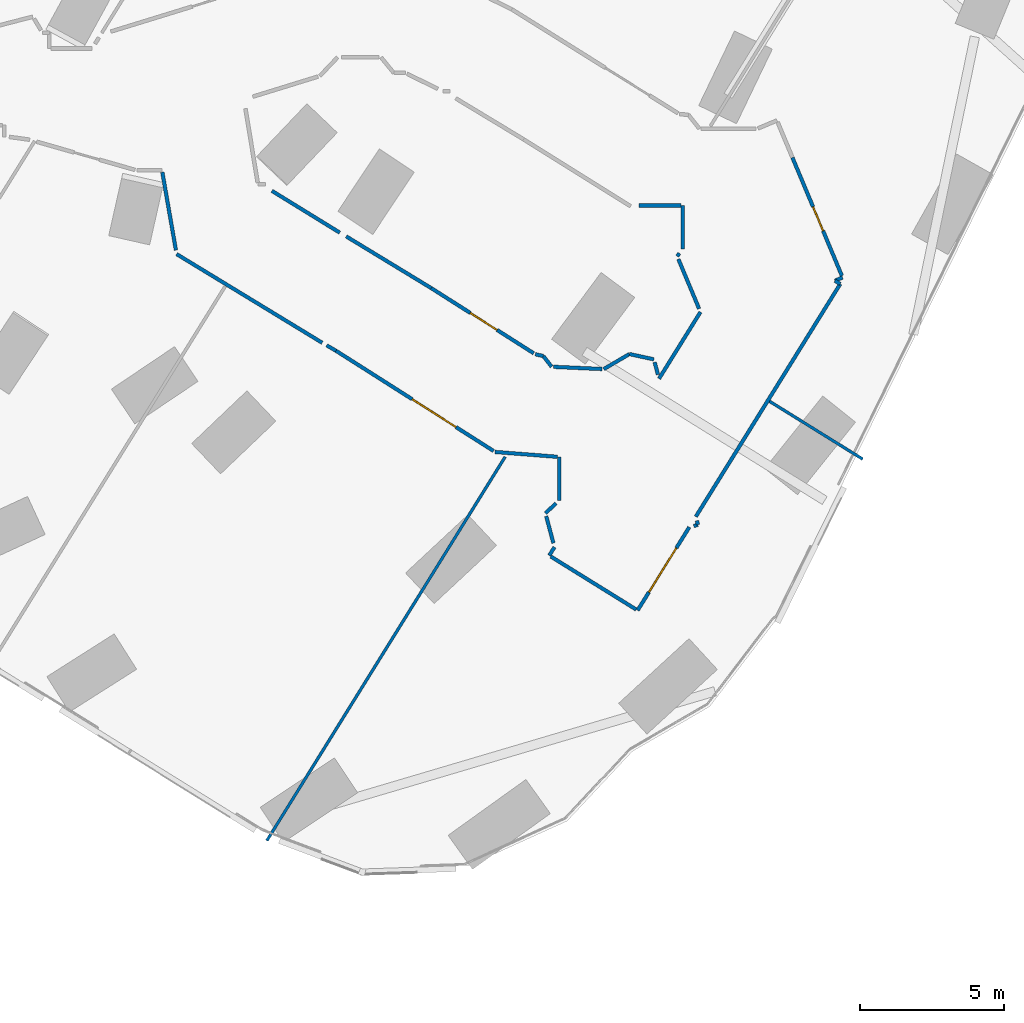
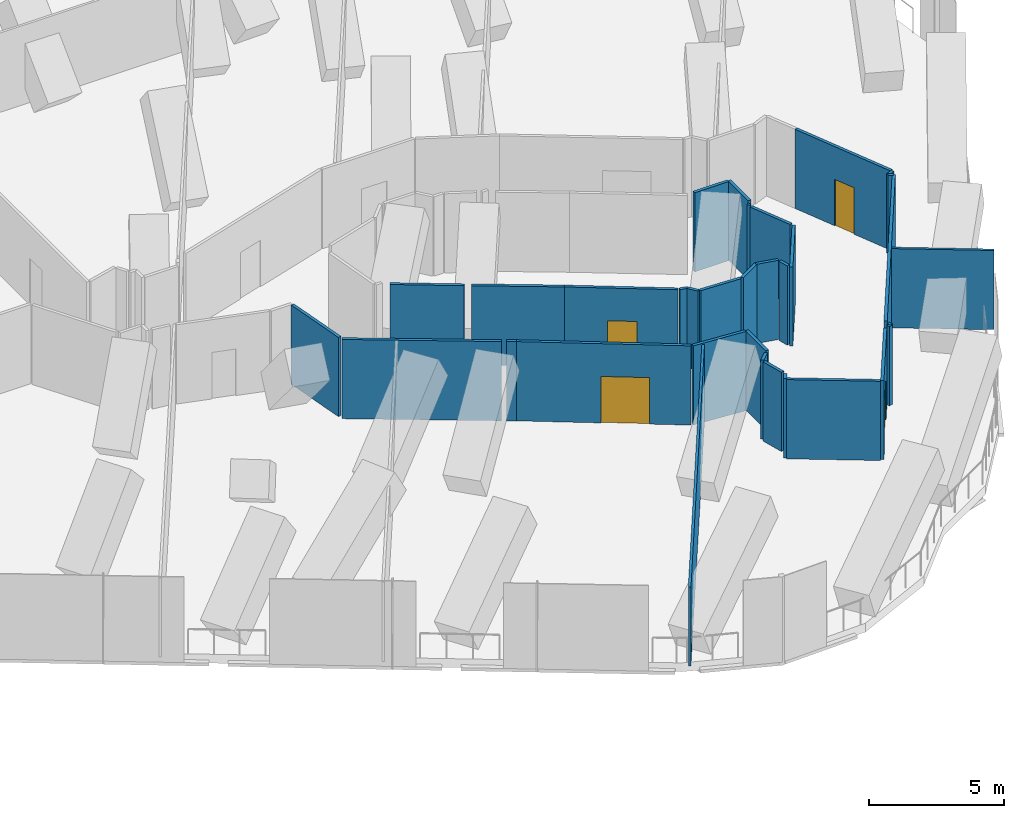
# One storey, part 25 of 31: 33 walls, 4 doors, 4 openings.
"""IFC4 building model written with IfcOpenShell, lengths in metres."""

from ifc_helpers import new_model, si_unit, direction, frame, frame_2d, origin, place, context, subcontext, project, spatial, rectangle, extrude, material, layer, layer_set, type_object, element, fill, save


model = new_model("IFC4")

# Units and contexts
model_context = context("Model", 3, precision=1e-05, world=origin(), true_north=direction((0.0, 1.0)))
body_context = subcontext(model_context, "Body", "Model", "MODEL_VIEW")
ifc_project = project(units=[si_unit("LENGTHUNIT", "METRE"), si_unit("AREAUNIT", "SQUARE_METRE"), si_unit("VOLUMEUNIT", "CUBIC_METRE"), si_unit("PLANEANGLEUNIT", "RADIAN"), si_unit("MASSUNIT", "GRAM", prefix="KILO")], contexts=[model_context])

# Site, building, storey
site_placement = place(None, origin())
site = spatial("IfcSite", under=ifc_project, at=site_placement, CompositionType="ELEMENT")
building_placement = place(site_placement, origin())
building = spatial("IfcBuilding", under=site, at=building_placement, Name="Orlundy Tower", CompositionType="ELEMENT")
storey_placement = place(building_placement, frame((0.0, 0.0, 54.800048828125)))
storey = spatial("IfcBuildingStorey", under=building, at=storey_placement, Name="L12", CompositionType="ELEMENT", Elevation=54.800048828125)

# Walls
ifc_material_1 = material(Name="Gypsum board partition")
ifc_layer_1 = layer(ifc_material_1, 0.10009765625)
ifc_layer_set_1 = layer_set([ifc_layer_1], Name="Floor partition 100")
wall_type_1 = type_object("IfcWallType", Name="Floor partition 100", PredefinedType="PARTITIONING", material=ifc_layer_set_1)
wall_1_placement = place(storey_placement, frame((49.487060546875, -28.47509765625, 0.0), z_axis=(0.0, 0.0, 1.0), x_axis=(0.849602400196, -0.527423702143, 0.0)))
element("IfcWall", 1, at=wall_1_placement, inside=storey, type_object=wall_type_1, Name="wall-int-L12-038", PredefinedType="PARTITIONING", context=body_context, shape_type="SweptSolid", body=[
    extrude(rectangle(XDim=3.795654296875, YDim=0.10009765625, at=frame_2d((1.89794921875, 0.0))), origin(), (0.0, 0.0, 1.0), 3.579833984375),
])
wall_2_placement = place(storey_placement, frame((32.08203125, -43.68798828125, 0.0), z_axis=(0.0, 0.0, 1.0), x_axis=(0.527454544874, 0.849583252596, 0.0)))
element("IfcWall", 2, at=wall_2_placement, inside=storey, type_object=wall_type_1, Name="wall-int-L12-124", PredefinedType="PARTITIONING", context=body_context, shape_type="SweptSolid", body=[
    extrude(rectangle(XDim=15.64306640625, YDim=0.10009765625, at=frame_2d((7.821533203125, 0.0))), origin(), (0.0, 0.0, 1.0), 3.579833984375),
])
ifc_material_2 = material(Name="Gypsum board partition, double layer")
ifc_layer_2 = layer(ifc_material_2, 0.125)
ifc_layer_set_2 = layer_set([ifc_layer_2], Name="Floor partition 125")
wall_type_2 = type_object("IfcWallType", Name="Floor partition 125", PredefinedType="PARTITIONING", material=ifc_layer_set_2)
wall_3_placement = place(storey_placement, frame((28.93408203125, -23.241943359375, 0.0), z_axis=(0.0, 0.0, 1.0), x_axis=(-0.171548017864, 0.985175759734, 0.0)))
element("IfcWall", 3, at=wall_3_placement, inside=storey, type_object=wall_type_2, Name="wall-int-L12-004", PredefinedType="PARTITIONING", context=body_context, shape_type="SweptSolid", body=[
    extrude(rectangle(XDim=2.739501953125, YDim=0.125, at=frame_2d((1.36962890625, 0.0))), origin(), (0.0, 0.0, 1.0), 3.579833984375),
])
wall_4_placement = place(storey_placement, frame((41.7548828125, -32.450927734375, 0.0), z_axis=(0.0, 0.0, 1.0), x_axis=(0.257851455591, -0.966184571834, 0.0)))
element("IfcWall", 4, at=wall_4_placement, inside=storey, type_object=wall_type_2, Name="wall-int-L12-006", PredefinedType="PARTITIONING", context=body_context, shape_type="SweptSolid", body=[
    extrude(rectangle(XDim=0.9658203125, YDim=0.125, at=frame_2d((0.48291015625, 0.0))), origin(), (0.0, 0.0, 1.0), 3.579833984375),
])
wall_5_placement = place(storey_placement, frame((45.510009765625, -27.123046875, 0.0), z_axis=(0.0, 0.0, 1.0), x_axis=(0.259479518398, -0.96574861094, 0.0)))
element("IfcWall", 5, at=wall_5_placement, inside=storey, type_object=wall_type_2, Name="wall-int-L12-007", PredefinedType="PARTITIONING", context=body_context, shape_type="SweptSolid", body=[
    extrude(rectangle(XDim=0.443115234375, YDim=0.125, at=frame_2d((0.2216796875, 0.0))), origin(), (0.0, 0.0, 1.0), 3.579833984375),
])
wall_6_placement = place(storey_placement, frame((46.971923828125, -32.60791015625, 0.0), z_axis=(0.0, 0.0, 1.0), x_axis=(0.258901994846, -0.965903596155, 0.0)))
element("IfcWall", 6, at=wall_6_placement, inside=storey, type_object=wall_type_2, Name="wall-int-L12-008", PredefinedType="PARTITIONING", context=body_context, shape_type="SweptSolid", body=[
    extrude(rectangle(XDim=0.147216796875, YDim=0.125, at=frame_2d((0.07373046875, 0.0))), origin(), (0.0, 0.0, 1.0), 3.579833984375),
])
wall_7_placement = place(storey_placement, frame((46.3310546875, -23.552978515625, 0.0), z_axis=(0.0, 0.0, 1.0), x_axis=(0.385798010162, -0.922583272857, 0.0)))
element("IfcWall", 7, at=wall_7_placement, inside=storey, type_object=wall_type_2, Name="wall-int-L12-009", PredefinedType="PARTITIONING", context=body_context, shape_type="SweptSolid", body=[
    extrude(rectangle(XDim=1.861083984375, YDim=0.125, at=frame_2d((0.9306640625, 0.0))), origin(), (0.0, 0.0, 1.0), 3.579833984375),
])

# Wall, opening, door
wall_8_placement = place(storey_placement, frame((50.281005859375, -20.037109375, 0.0), z_axis=(0.0, 0.0, 1.0), x_axis=(0.385881073625, -0.922548533692, 0.0)))
wall_8 = element("IfcWall", 8, at=wall_8_placement, inside=storey, type_object=wall_type_2, Name="wall-int-L12-010", PredefinedType="PARTITIONING", context=body_context, shape_type="SweptSolid", body=[
    extrude(rectangle(XDim=4.436279296875, YDim=0.125, at=frame_2d((2.21826171875, 0.0))), origin(), (0.0, 0.0, 1.0), 3.579833984375),
])
opening_1_placement = place(wall_8_placement, frame((1.85009765625, 0.0, 0.0)))
opening_1 = element("IfcOpeningElement", 9, at=opening_1_placement, cuts=wall_8, Name="Opening 11104", PredefinedType="OPENING", context=body_context, shape_type="SweptSolid", body=[
    extrude(rectangle(XDim=0.89990234375, YDim=2.10009765625, at=frame_2d((0.449951171875, 1.050048828125))), frame((0.0, 0.072509765625, 0.0), z_axis=(0.0, -1.0, 0.0), x_axis=(1.0, 0.0, 0.0)), (0.0, 0.0, 1.0), 0.14501953125),
])
ifc_material_3 = material(Name="Timber door leaf", Category="wood")
door_type_1 = type_object("IfcDoorType", Name="Floor door single 900 FD30S", OperationType="NOTDEFINED", PredefinedType="DOOR", material=ifc_material_3)
door_1_placement = place(opening_1_placement, origin())
door_1 = element("IfcDoor", 10, at=door_1_placement, inside=storey, type_object=door_type_1, Name="Door 11104", OperationType="SINGLE_SWING_RIGHT", OverallHeight=2.10009765625, OverallWidth=0.89990234375, PredefinedType="DOOR", context=body_context, shape_type="SweptSolid", body=[
    extrude(rectangle(XDim=0.89990234375, YDim=2.10009765625, at=frame_2d((0.449951171875, 1.050048828125))), frame((0.0, 0.02490234375, 0.0), z_axis=(0.0, -1.0, 0.0), x_axis=(1.0, 0.0, 0.0)), (0.0, 0.0, 1.0), 0.050048828125),
])
fill(opening_1, door_1)

wall_9_placement = place(storey_placement, frame((39.931884765625, -30.195068359375, 0.0), z_axis=(0.0, 0.0, 1.0), x_axis=(-0.843820070804, 0.536626208927, 0.0)))
wall_9 = element("IfcWall", 11, at=wall_9_placement, inside=storey, type_object=wall_type_2, Name="wall-int-L12-028", PredefinedType="PARTITIONING", context=body_context, shape_type="SweptSolid", body=[
    extrude(rectangle(XDim=6.46435546875, YDim=0.125, at=frame_2d((3.232177734375, 0.0))), origin(), (0.0, 0.0, 1.0), 3.579833984375),
])
opening_2_placement = place(wall_9_placement, frame((1.5380859375, 0.0, 0.0)))
opening_2 = element("IfcOpeningElement", 12, at=opening_2_placement, cuts=wall_9, Name="Opening 11107", PredefinedType="OPENING", context=body_context, shape_type="SweptSolid", body=[
    extrude(rectangle(XDim=1.800048828125, YDim=2.10009765625, at=frame_2d((0.89990234375, 1.050048828125))), frame((0.0, 0.072509765625, 0.0), z_axis=(0.0, -1.0, 0.0), x_axis=(1.0, 0.0, 0.0)), (0.0, 0.0, 1.0), 0.14501953125),
])
ifc_material_4 = material(Name="Timber door leaf", Category="wood")
door_type_2 = type_object("IfcDoorType", Name="Floor door double 1800 FD30S", OperationType="NOTDEFINED", PredefinedType="DOOR", material=ifc_material_4)
door_2_placement = place(opening_2_placement, origin())
door_2 = element("IfcDoor", 13, at=door_2_placement, inside=storey, type_object=door_type_2, Name="Door 11107", OperationType="DOUBLE_DOOR_SINGLE_SWING", OverallHeight=2.10009765625, OverallWidth=1.800048828125, PredefinedType="DOOR", context=body_context, shape_type="SweptSolid", body=[
    extrude(rectangle(XDim=1.800048828125, YDim=2.10009765625, at=frame_2d((0.89990234375, 1.050048828125))), frame((0.0, 0.02490234375, 0.0), z_axis=(0.0, -1.0, 0.0), x_axis=(1.0, 0.0, 0.0)), (0.0, 0.0, 1.0), 0.050048828125),
])
fill(opening_2, door_2)

wall_10_placement = place(storey_placement, frame((37.77392578125, -24.555908203125, 0.0), z_axis=(0.0, 0.0, 1.0), x_axis=(0.843747538383, -0.53674024581, 0.0)))
wall_10 = element("IfcWall", 14, at=wall_10_placement, inside=storey, type_object=wall_type_2, Name="wall-int-L12-029", PredefinedType="PARTITIONING", context=body_context, shape_type="SweptSolid", body=[
    extrude(rectangle(XDim=4.205078125, YDim=0.125, at=frame_2d((2.1025390625, 0.0))), origin(), (0.0, 0.0, 1.0), 3.579833984375),
])
opening_3_placement = place(wall_10_placement, frame((1.60009765625, 0.0, 0.0)))
opening_3 = element("IfcOpeningElement", 15, at=opening_3_placement, cuts=wall_10, Name="Opening 11103", PredefinedType="OPENING", context=body_context, shape_type="SweptSolid", body=[
    extrude(rectangle(XDim=1.10009765625, YDim=2.10009765625, at=frame_2d((0.550048828125, 1.050048828125))), frame((0.0, 0.072509765625, 0.0), z_axis=(0.0, -1.0, 0.0), x_axis=(1.0, 0.0, 0.0)), (0.0, 0.0, 1.0), 0.14501953125),
])
ifc_material_5 = material(Name="Timber door leaf", Category="wood")
door_type_3 = type_object("IfcDoorType", Name="Floor door xwide 1100 FD30S", OperationType="NOTDEFINED", PredefinedType="DOOR", material=ifc_material_5)
door_3_placement = place(opening_3_placement, origin())
door_3 = element("IfcDoor", 16, at=door_3_placement, inside=storey, type_object=door_type_3, Name="Door 11103", OperationType="SINGLE_SWING_RIGHT", OverallHeight=2.10009765625, OverallWidth=1.10009765625, PredefinedType="DOOR", context=body_context, shape_type="SweptSolid", body=[
    extrude(rectangle(XDim=1.10009765625, YDim=2.10009765625, at=frame_2d((0.550048828125, 1.050048828125))), frame((0.0, 0.02490234375, 0.0), z_axis=(0.0, -1.0, 0.0), x_axis=(1.0, 0.0, 0.0)), (0.0, 0.0, 1.0), 0.050048828125),
])
fill(opening_3, door_3)

# Walls
wall_11_placement = place(storey_placement, frame((37.77392578125, -24.555908203125, 0.0), z_axis=(0.0, 0.0, 1.0), x_axis=(-0.854394223193, 0.519625356747, 0.0)))
element("IfcWall", 17, at=wall_11_placement, inside=storey, type_object=wall_type_2, Name="wall-int-L12-030", PredefinedType="PARTITIONING", context=body_context, shape_type="SweptSolid", body=[
    extrude(rectangle(XDim=3.4443359375, YDim=0.125, at=frame_2d((1.72216796875, 0.0))), origin(), (0.0, 0.0, 1.0), 3.579833984375),
])
wall_12_placement = place(storey_placement, frame((28.9580078125, -23.37890625, 0.0), z_axis=(0.0, 0.0, 1.0), x_axis=(0.85410506727, -0.52010050381, 0.0)))
element("IfcWall", 18, at=wall_12_placement, inside=storey, type_object=wall_type_2, Name="wall-int-L12-034", PredefinedType="PARTITIONING", context=body_context, shape_type="SweptSolid", body=[
    extrude(rectangle(XDim=5.90087890625, YDim=0.125, at=frame_2d((2.950439453125, 0.0))), origin(), (0.0, 0.0, 1.0), 3.579833984375),
])
wall_13_placement = place(storey_placement, frame((51.7509765625, -24.300048828125, 0.0), z_axis=(0.0, 0.0, 1.0), x_axis=(0.84888732671, -0.528573842098, 0.0)))
element("IfcWall", 19, at=wall_13_placement, inside=storey, type_object=wall_type_2, Name="wall-int-L12-035", PredefinedType="PARTITIONING", context=body_context, shape_type="SweptSolid", body=[
    extrude(rectangle(XDim=0.2158203125, YDim=0.125, at=frame_2d((0.10791015625, 0.0))), origin(), (0.0, 0.0, 1.0), 3.579833984375),
])
wall_14_placement = place(storey_placement, frame((41.9130859375, -33.84912109375, 0.0), z_axis=(0.0, 0.0, 1.0), x_axis=(0.849647763732, -0.527350621111, 0.0)))
element("IfcWall", 20, at=wall_14_placement, inside=storey, type_object=wall_type_2, Name="wall-int-L12-036", PredefinedType="PARTITIONING", context=body_context, shape_type="SweptSolid", body=[
    extrude(rectangle(XDim=3.475341796875, YDim=0.125, at=frame_2d((1.73779296875, 0.0))), origin(), (0.0, 0.0, 1.0), 3.579833984375),
])
wall_15_placement = place(storey_placement, frame((32.258056640625, -21.18896484375, 0.0), z_axis=(0.0, 0.0, 1.0), x_axis=(0.851466744889, -0.524408602473, 0.0)))
element("IfcWall", 21, at=wall_15_placement, inside=storey, type_object=wall_type_2, Name="wall-int-L12-037", PredefinedType="PARTITIONING", context=body_context, shape_type="SweptSolid", body=[
    extrude(rectangle(XDim=2.757568359375, YDim=0.125, at=frame_2d((1.37890625, 0.0))), origin(), (0.0, 0.0, 1.0), 3.579833984375),
])
wall_16_placement = place(storey_placement, frame((34.153076171875, -26.5380859375, 0.0), z_axis=(0.0, 0.0, 1.0), x_axis=(0.864934993762, -0.501883907458, 0.0)))
element("IfcWall", 22, at=wall_16_placement, inside=storey, type_object=wall_type_2, Name="wall-int-L12-039", PredefinedType="PARTITIONING", context=body_context, shape_type="SweptSolid", body=[
    extrude(rectangle(XDim=0.37451171875, YDim=0.125, at=frame_2d((0.187255859375, 0.0))), origin(), (0.0, 0.0, 1.0), 3.579833984375),
])
wall_17_placement = place(storey_placement, frame((39.985107421875, -30.22900390625, 0.0), z_axis=(0.0, 0.0, 1.0), x_axis=(0.996972826888, -0.077750771356, 0.0)))
element("IfcWall", 23, at=wall_17_placement, inside=storey, type_object=wall_type_2, Name="wall-int-L12-044", PredefinedType="PARTITIONING", context=body_context, shape_type="SweptSolid", body=[
    extrude(rectangle(XDim=2.160400390625, YDim=0.125, at=frame_2d((1.080078125, 0.0))), origin(), (0.0, 0.0, 1.0), 3.579833984375),
])
wall_18_placement = place(storey_placement, frame((44.635986328125, -26.839111328125, 0.0), z_axis=(0.0, 0.0, 1.0), x_axis=(0.977242421198, -0.212125552944, 0.0)))
element("IfcWall", 24, at=wall_18_placement, inside=storey, type_object=wall_type_2, Name="wall-int-L12-045", PredefinedType="PARTITIONING", context=body_context, shape_type="SweptSolid", body=[
    extrude(rectangle(XDim=0.86669921875, YDim=0.125, at=frame_2d((0.433349609375, 0.0))), origin(), (0.0, 0.0, 1.0), 3.579833984375),
])
wall_19_placement = place(storey_placement, frame((43.68310546875, -27.35791015625, 0.0), z_axis=(0.0, 0.0, 1.0), x_axis=(-0.998952909466, 0.045750242292, 0.0)))
element("IfcWall", 25, at=wall_19_placement, inside=storey, type_object=wall_type_2, Name="wall-int-L12-046", PredefinedType="PARTITIONING", context=body_context, shape_type="SweptSolid", body=[
    extrude(rectangle(XDim=1.680908203125, YDim=0.125, at=frame_2d((0.84033203125, 0.0))), origin(), (0.0, 0.0, 1.0), 3.579833984375),
])
wall_20_placement = place(storey_placement, frame((41.376953125, -26.846923828125, 0.0), z_axis=(0.0, 0.0, 1.0), x_axis=(0.977308287744, -0.211821884392, 0.0)))
element("IfcWall", 26, at=wall_20_placement, inside=storey, type_object=wall_type_2, Name="wall-int-L12-047", PredefinedType="PARTITIONING", context=body_context, shape_type="SweptSolid", body=[
    extrude(rectangle(XDim=0.283447265625, YDim=0.125, at=frame_2d((0.1416015625, 0.0))), origin(), (0.0, 0.0, 1.0), 3.579833984375),
])
wall_21_placement = place(storey_placement, frame((44.968017578125, -21.696044921875, 0.0), z_axis=(0.0, 0.0, 1.0), x_axis=(1.0, 0.0, 0.0)))
element("IfcWall", 27, at=wall_21_placement, inside=storey, type_object=wall_type_2, Name="wall-int-L12-060", PredefinedType="PARTITIONING", context=body_context, shape_type="SweptSolid", body=[
    extrude(rectangle(XDim=1.447998046875, YDim=0.125, at=frame_2d((0.72412109375, 0.0))), origin(), (0.0, 0.0, 1.0), 3.579833984375),
])
wall_22_placement = place(storey_placement, frame((46.862060546875, -32.7900390625, 0.0), z_axis=(0.0, 0.0, 1.0), x_axis=(0.96686754856, 0.255278560676, 0.0)))
element("IfcWall", 28, at=wall_22_placement, inside=storey, type_object=wall_type_2, Name="wall-int-L12-084", PredefinedType="PARTITIONING", context=body_context, shape_type="SweptSolid", body=[
    extrude(rectangle(XDim=0.153076171875, YDim=0.125, at=frame_2d((0.07666015625, 0.0))), origin(), (0.0, 0.0, 1.0), 3.579833984375),
])
wall_23_placement = place(storey_placement, frame((51.7509765625, -24.300048828125, 0.0), z_axis=(0.0, 0.0, 1.0), x_axis=(0.922826245199, 0.385216460152, 0.0)))
element("IfcWall", 29, at=wall_23_placement, inside=storey, type_object=wall_type_2, Name="wall-int-L12-087", PredefinedType="PARTITIONING", context=body_context, shape_type="SweptSolid", body=[
    extrude(rectangle(XDim=0.288330078125, YDim=0.125, at=frame_2d((0.14404296875, 0.0))), origin(), (0.0, 0.0, 1.0), 3.579833984375),
])
wall_24_placement = place(storey_placement, frame((41.72802734375, -32.35009765625, 0.0), z_axis=(0.0, 0.0, 1.0), x_axis=(0.731426379857, 0.681920413868, 0.0)))
element("IfcWall", 30, at=wall_24_placement, inside=storey, type_object=wall_type_2, Name="wall-int-L12-090", PredefinedType="PARTITIONING", context=body_context, shape_type="SweptSolid", body=[
    extrude(rectangle(XDim=0.5029296875, YDim=0.125, at=frame_2d((0.25146484375, 0.0))), origin(), (0.0, 0.0, 1.0), 3.579833984375),
])
wall_25_placement = place(storey_placement, frame((46.2890625, -23.450927734375, 0.0), z_axis=(0.0, 0.0, 1.0), x_axis=(0.606449175924, 0.795122252878, 0.0)))
element("IfcWall", 31, at=wall_25_placement, inside=storey, type_object=wall_type_2, Name="wall-int-L12-115", PredefinedType="PARTITIONING", context=body_context, shape_type="SweptSolid", body=[
    extrude(rectangle(XDim=0.126708984375, YDim=0.125, at=frame_2d((0.0634765625, 0.0))), origin(), (0.0, 0.0, 1.0), 3.579833984375),
])
wall_26_placement = place(storey_placement, frame((41.860107421875, -33.81494140625, 0.0), z_axis=(0.0, 0.0, 1.0), x_axis=(0.527948010294, 0.849276691324, 0.0)))
element("IfcWall", 32, at=wall_26_placement, inside=storey, type_object=wall_type_2, Name="wall-int-L12-120", PredefinedType="PARTITIONING", context=body_context, shape_type="SweptSolid", body=[
    extrude(rectangle(XDim=0.3427734375, YDim=0.125, at=frame_2d((0.17138671875, 0.0))), origin(), (0.0, 0.0, 1.0), 3.579833984375),
])
wall_27_placement = place(storey_placement, frame((45.662109375, -27.69091796875, 0.0), z_axis=(0.0, 0.0, 1.0), x_axis=(0.527888562737, 0.849313643674, 0.0)))
element("IfcWall", 33, at=wall_27_placement, inside=storey, type_object=wall_type_2, Name="wall-int-L12-121", PredefinedType="PARTITIONING", context=body_context, shape_type="SweptSolid", body=[
    extrude(rectangle(XDim=2.716064453125, YDim=0.125, at=frame_2d((1.35791015625, 0.0))), origin(), (0.0, 0.0, 1.0), 3.579833984375),
])

# Wall, opening, door
wall_28_placement = place(storey_placement, frame((46.7099609375, -32.8310546875, 0.0), z_axis=(0.0, 0.0, 1.0), x_axis=(-0.527559761844, -0.849517920755, 0.0)))
wall_28 = element("IfcWall", 34, at=wall_28_placement, inside=storey, type_object=wall_type_2, Name="wall-int-L12-122", PredefinedType="PARTITIONING", context=body_context, shape_type="SweptSolid", body=[
    extrude(rectangle(XDim=3.39501953125, YDim=0.125, at=frame_2d((1.697509765625, 0.0))), origin(), (0.0, 0.0, 1.0), 3.579833984375),
])
opening_4_placement = place(wall_28_placement, frame((0.85009765625, 0.0, 0.0)))
opening_4 = element("IfcOpeningElement", 35, at=opening_4_placement, cuts=wall_28, Name="Opening 11105", PredefinedType="OPENING", context=body_context, shape_type="SweptSolid", body=[
    extrude(rectangle(XDim=1.800048828125, YDim=2.10009765625, at=frame_2d((0.89990234375, 1.050048828125))), frame((0.0, 0.072509765625, 0.0), z_axis=(0.0, -1.0, 0.0), x_axis=(1.0, 0.0, 0.0)), (0.0, 0.0, 1.0), 0.14501953125),
])
door_4_placement = place(opening_4_placement, origin())
door_4 = element("IfcDoor", 36, at=door_4_placement, inside=storey, type_object=door_type_2, Name="Door 11105", OperationType="DOUBLE_DOOR_SINGLE_SWING", OverallHeight=2.10009765625, OverallWidth=1.800048828125, PredefinedType="DOOR", context=body_context, shape_type="SweptSolid", body=[
    extrude(rectangle(XDim=1.800048828125, YDim=2.10009765625, at=frame_2d((0.89990234375, 1.050048828125))), frame((0.0, 0.02490234375, 0.0), z_axis=(0.0, -1.0, 0.0), x_axis=(1.0, 0.0, 0.0)), (0.0, 0.0, 1.0), 0.050048828125),
])
fill(opening_4, door_4)

# Walls
wall_29_placement = place(storey_placement, frame((46.93505859375, -32.468017578125, 0.0), z_axis=(0.0, 0.0, 1.0), x_axis=(0.527420544761, 0.849604360255, 0.0)))
element("IfcWall", 37, at=wall_29_placement, inside=storey, type_object=wall_type_2, Name="wall-int-L12-123", PredefinedType="PARTITIONING", context=body_context, shape_type="SweptSolid", body=[
    extrude(rectangle(XDim=9.48193359375, YDim=0.125, at=frame_2d((4.740966796875, 0.0))), origin(), (0.0, 0.0, 1.0), 3.579833984375),
])
wall_30_placement = place(storey_placement, frame((43.7451171875, -27.361083984375, 0.0), z_axis=(0.0, 0.0, 1.0), x_axis=(0.86280822345, 0.505531373455, 0.0)))
element("IfcWall", 38, at=wall_30_placement, inside=storey, type_object=wall_type_2, Name="wall-int-L12-133", PredefinedType="PARTITIONING", context=body_context, shape_type="SweptSolid", body=[
    extrude(rectangle(XDim=1.032470703125, YDim=0.125, at=frame_2d((0.51611328125, 0.0))), origin(), (0.0, 0.0, 1.0), 3.579833984375),
])
wall_31_placement = place(storey_placement, frame((46.47802734375, -23.200927734375, 0.0), z_axis=(0.0, 0.0, 1.0), x_axis=(0.0, 1.0, 0.0)))
element("IfcWall", 39, at=wall_31_placement, inside=storey, type_object=wall_type_2, Name="wall-int-L12-138", PredefinedType="PARTITIONING", context=body_context, shape_type="SweptSolid", body=[
    extrude(rectangle(XDim=1.5048828125, YDim=0.125, at=frame_2d((0.75244140625, 0.0))), origin(), (0.0, 0.0, 1.0), 3.579833984375),
])
wall_32_placement = place(storey_placement, frame((42.200927734375, -31.908935546875, 0.0), z_axis=(0.0, 0.0, 1.0), x_axis=(0.0, 1.0, 0.0)))
element("IfcWall", 40, at=wall_32_placement, inside=storey, type_object=wall_type_2, Name="wall-int-L12-139", PredefinedType="PARTITIONING", context=body_context, shape_type="SweptSolid", body=[
    extrude(rectangle(XDim=1.5068359375, YDim=0.125, at=frame_2d((0.75341796875, 0.0))), origin(), (0.0, 0.0, 1.0), 3.579833984375),
])
wall_33_placement = place(storey_placement, frame((41.94189453125, -27.278076171875, 0.0), z_axis=(0.0, 0.0, 1.0), x_axis=(-0.612896389525, 0.790163284206, 0.0)))
element("IfcWall", 41, at=wall_33_placement, inside=storey, type_object=wall_type_2, Name="wall-int-L12-140", PredefinedType="PARTITIONING", context=body_context, shape_type="SweptSolid", body=[
    extrude(rectangle(XDim=0.4697265625, YDim=0.125, at=frame_2d((0.23486328125, 0.0))), origin(), (0.0, 0.0, 1.0), 3.579833984375),
])

save(model, "model.ifc")
